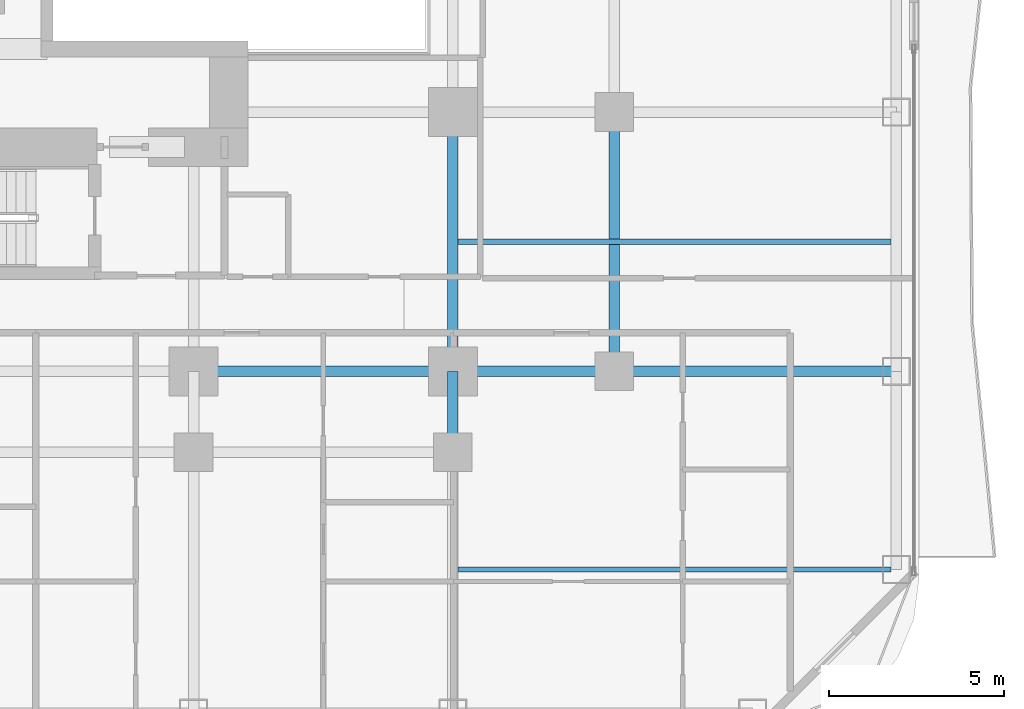
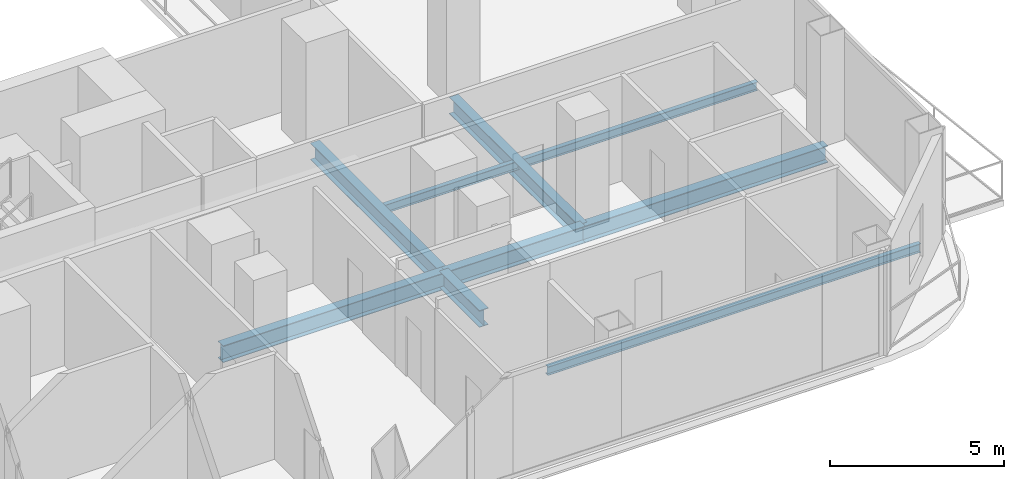
# One storey, part 9 of 28: 8 beams.
"""IFC4 building model written with IfcOpenShell, lengths in metres."""

from ifc_helpers import new_model, si_unit, direction, frame, origin, origin_2d, place, context, subcontext, project, spatial, i_section, extrude, material, material_profile, profile_set, type_object, element, save


model = new_model("IFC4")

# Units and contexts
model_context = context("Model", 3, precision=1e-05, world=origin(), true_north=direction((0.0, 1.0)))
body_context = subcontext(model_context, "Body", "Model", "MODEL_VIEW")
ifc_project = project(units=[si_unit("LENGTHUNIT", "METRE"), si_unit("AREAUNIT", "SQUARE_METRE"), si_unit("VOLUMEUNIT", "CUBIC_METRE"), si_unit("PLANEANGLEUNIT", "RADIAN"), si_unit("MASSUNIT", "GRAM", prefix="KILO")], contexts=[model_context])

# Site, building, storey
site_placement = place(None, origin())
site = spatial("IfcSite", under=ifc_project, at=site_placement, CompositionType="ELEMENT")
building_placement = place(site_placement, origin())
building = spatial("IfcBuilding", under=site, at=building_placement, Name="Khorvyn Point Tower", CompositionType="ELEMENT")
storey_placement = place(building_placement, frame((0.0, 0.0, 34.5)))
storey = spatial("IfcBuildingStorey", under=building, at=storey_placement, Name="L09", CompositionType="ELEMENT", Elevation=34.5)

# Beams
ifc_material = material(Name="Steel S355", Category="steel")
ifc_material_profile_1 = material_profile(ifc_material, i_section(OverallWidth=0.300048828125, OverallDepth=0.587890625, WebThickness=0.011962890625, FlangeThickness=0.02001953125, at=origin_2d()))
ifc_profile_set_1 = profile_set([ifc_material_profile_1], Name="Steel S355 H588x300x12x20")
beam_type_1 = type_object("IfcBeamType", Name="Steel S355 Beam H588x300x12x20", PredefinedType="BEAM", material=ifc_profile_set_1)
beam_1_placement = place(storey_placement, frame((7.39990234375, -14.800048828125, -0.513916015625), z_axis=(1.0, 0.0, 0.0), x_axis=(0.0, 1.0, 0.0)))
element("IfcBeam", 1, at=beam_1_placement, inside=storey, type_object=beam_type_1, Name="Beam", PredefinedType="BEAM", context=body_context, shape_type="SweptSolid", body=[
    extrude(i_section(OverallWidth=0.300048828125, OverallDepth=0.587890625, WebThickness=0.011962890625, FlangeThickness=0.02001953125, at=origin_2d()), origin(), (0.0, 0.0, 1.0), 7.400146484375),
])
beam_2_placement = place(storey_placement, frame((14.800048828125, -14.800048828125, -0.513916015625), z_axis=(1.0, 0.0, 0.0), x_axis=(0.0, 1.0, 0.0)))
element("IfcBeam", 2, at=beam_2_placement, inside=storey, type_object=beam_type_1, Name="Beam", PredefinedType="BEAM", context=body_context, shape_type="SweptSolid", body=[
    extrude(i_section(OverallWidth=0.300048828125, OverallDepth=0.587890625, WebThickness=0.011962890625, FlangeThickness=0.02001953125, at=origin_2d()), origin(), (0.0, 0.0, 1.0), 4.599853515625),
])
beam_3_placement = place(storey_placement, frame((19.39990234375, -14.800048828125, -0.513916015625), z_axis=(1.0, 0.0, 0.0), x_axis=(0.0, 1.0, 0.0)))
element("IfcBeam", 3, at=beam_3_placement, inside=storey, type_object=beam_type_1, Name="Beam", PredefinedType="BEAM", context=body_context, shape_type="SweptSolid", body=[
    extrude(i_section(OverallWidth=0.300048828125, OverallDepth=0.587890625, WebThickness=0.011962890625, FlangeThickness=0.02001953125, at=origin_2d()), origin(), (0.0, 0.0, 1.0), 8.050048828125),
])
beam_4_placement = place(storey_placement, frame((14.800048828125, -17.10009765625, -0.513916015625), z_axis=(0.0, 1.0, 0.0), x_axis=(-1.0, 0.0, 0.0)))
element("IfcBeam", 4, at=beam_4_placement, inside=storey, type_object=beam_type_1, Name="Beam", PredefinedType="BEAM", context=body_context, shape_type="SweptSolid", body=[
    extrude(i_section(OverallWidth=0.300048828125, OverallDepth=0.587890625, WebThickness=0.011962890625, FlangeThickness=0.02001953125, at=origin_2d()), origin(), (0.0, 0.0, 1.0), 2.300048828125),
])
for number, where, z_axis, x_axis, name in (
    (5, (14.800048828125, -14.800048828125, -0.513916015625), (0.0, 1.0, 0.0), (-1.0, 0.0, 0.0), "Beam"),
    (6, (19.39990234375, -14.800048828125, -0.513916015625), (0.0, 1.0, 0.0), (-1.0, 0.0, 0.0), "Beam"),
):
    element("IfcBeam", number, at=place(storey_placement, frame(where, z_axis=z_axis, x_axis=x_axis)), inside=storey, type_object=beam_type_1, Name=name, PredefinedType="BEAM", context=body_context, shape_type="SweptSolid", body=[
        extrude(i_section(OverallWidth=0.300048828125, OverallDepth=0.587890625, WebThickness=0.011962890625, FlangeThickness=0.02001953125, at=origin_2d()), origin(), (0.0, 0.0, 1.0), 7.400146484375),
    ])
ifc_material_profile_2 = material_profile(ifc_material, i_section(OverallWidth=0.14990234375, OverallDepth=0.300048828125, WebThickness=0.006591796875, FlangeThickness=0.009033203125, at=origin_2d()))
ifc_profile_set_2 = profile_set([ifc_material_profile_2], Name="Steel S355 H300x150x6.5x9")
beam_type_2 = type_object("IfcBeamType", Name="Steel S355 Joist H300x150x6.5x9", PredefinedType="JOIST", material=ifc_profile_set_2)
for number, where, z_axis, x_axis, name in (
    (7, (14.949951171875, -11.10009765625, -0.3701171875), (1.0, 0.0, 0.0), (0.0, 1.0, 0.0), "Beam"),
    (8, (14.949951171875, -20.449951171875, -0.3701171875), (1.0, 0.0, 0.0), (0.0, 1.0, 0.0), "Beam"),
):
    element("IfcBeam", number, at=place(storey_placement, frame(where, z_axis=z_axis, x_axis=x_axis)), inside=storey, type_object=beam_type_2, Name=name, PredefinedType="JOIST", context=body_context, shape_type="SweptSolid", body=[
        extrude(i_section(OverallWidth=0.14990234375, OverallDepth=0.300048828125, WebThickness=0.006591796875, FlangeThickness=0.009033203125, at=origin_2d()), origin(), (0.0, 0.0, 1.0), 12.35009765625),
    ])

save(model, "model.ifc")
